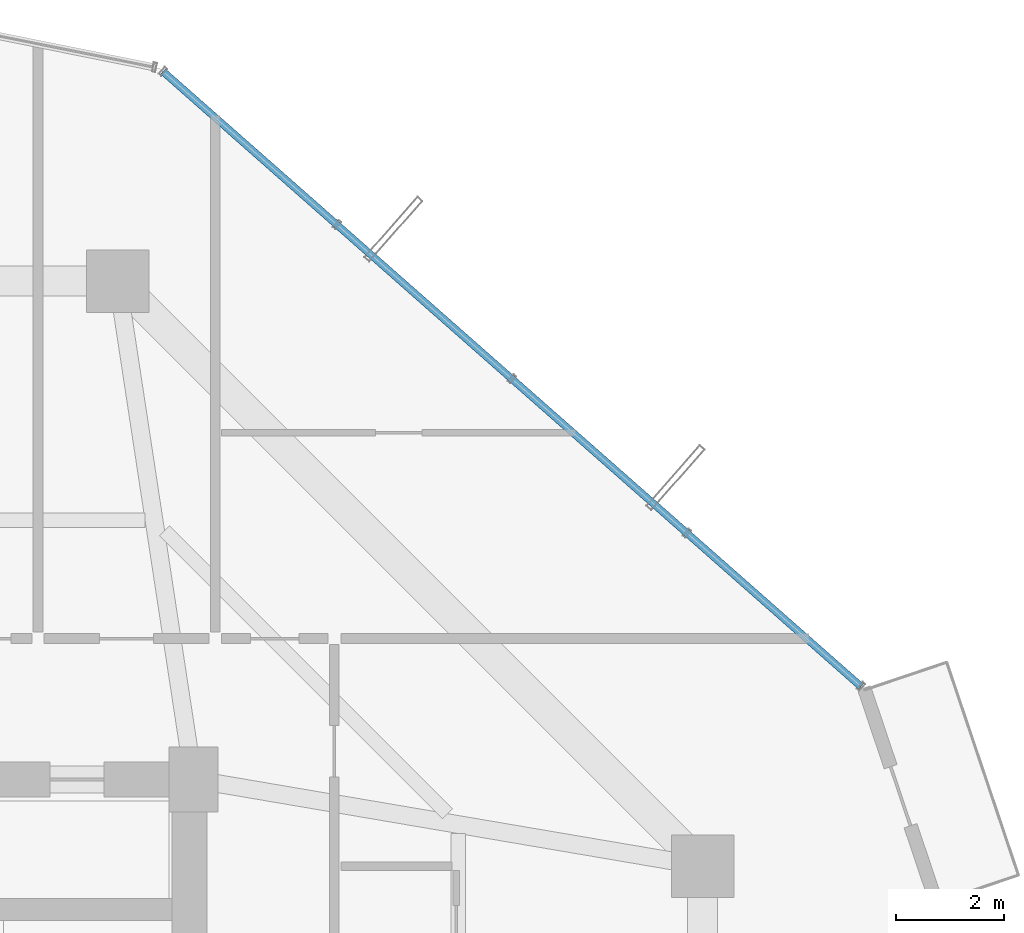
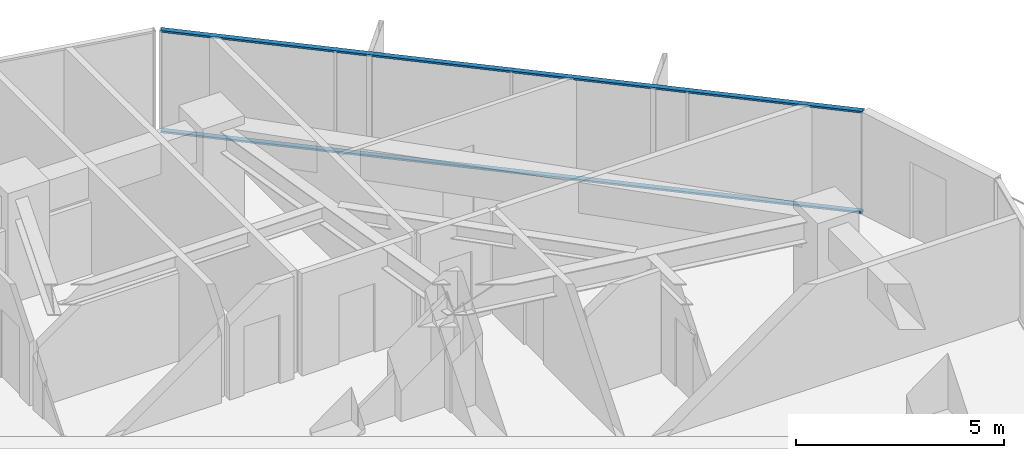
# One storey, part 25 of 32: 2 members, 1 element without a shape of its own.
"""IFC4 building model written with IfcOpenShell, lengths in metres."""

from ifc_helpers import new_model, si_unit, direction, frame, origin, origin_2d, place, context, subcontext, project, spatial, hollow_rectangle, extrude, source, transform, mapped, material, layer, layer_set, material_profile, profile_set, type_object, element, aggregate, save


model = new_model("IFC4")

# Units and contexts
model_context = context("Model", 3, precision=1e-05, world=origin(), true_north=direction((0.0, 1.0)))
body_context = subcontext(model_context, "Body", "Model", "MODEL_VIEW")
ifc_project = project(units=[si_unit("LENGTHUNIT", "METRE"), si_unit("AREAUNIT", "SQUARE_METRE"), si_unit("VOLUMEUNIT", "CUBIC_METRE"), si_unit("PLANEANGLEUNIT", "RADIAN"), si_unit("MASSUNIT", "GRAM", prefix="KILO")], contexts=[model_context])

# Site, building, storey
site_placement = place(None, origin())
site = spatial("IfcSite", under=ifc_project, at=site_placement, CompositionType="ELEMENT")
building_placement = place(site_placement, origin())
building = spatial("IfcBuilding", under=site, at=building_placement, Name="Veraguas Prism Commons", CompositionType="ELEMENT")
storey_placement = place(building_placement, frame((0.0, 0.0, 89.449951171875)))
storey = spatial("IfcBuildingStorey", under=building, at=storey_placement, Name="L24", CompositionType="ELEMENT", Elevation=89.449951171875)

# Curtain wall, members
ifc_material = material(Name="Anodised aluminium EN AW-6063 T6", Category="aluminium")
ifc_layer = layer(ifc_material, 0.169921875, Name="Unitised Flush Curtain Wall Zone 2", Category="aluminium")
ifc_layer_set = layer_set([ifc_layer], Name="Anodised aluminium EN AW-6063 T6")
curtain_wall_type = type_object("IfcCurtainWallType", Name="Unitised Flush Curtain Wall Zone 2", PredefinedType="NOTDEFINED", material=ifc_layer_set)
curtain_wall_placement = place(storey_placement, origin())
curtain_wall = element("IfcCurtainWall", 1, at=curtain_wall_placement, inside=storey, type_object=curtain_wall_type, Name="Tower Facade Curtain Wall L24-F1", PredefinedType="NOTDEFINED")
ifc_material_profile = material_profile(ifc_material, hollow_rectangle(XDim=0.054931640625, YDim=0.135009765625, WallThickness=0.0029296875, at=origin_2d()), Name="AL55X135X3")
ifc_profile_set = profile_set([ifc_material_profile], Name="Anodised aluminium EN AW-6063 T6")
member_type = type_object("IfcMemberType", Name="Curtain Wall Transom Standard AL 55x135x3", PredefinedType="USERDEFINED", material=ifc_profile_set)
shared_shape = source(origin(), body_context, "Body", "SweptSolid", [
    extrude(hollow_rectangle(XDim=0.054931640625, YDim=0.135009765625, WallThickness=0.0029296875, at=origin_2d()), origin(), (0.0, 0.0, 1.0), 17.17431640625),
])
member_1_placement = place(storey_placement, frame((43.123779296875, 32.716796875, 0.027587890625), z_axis=(-0.750332972714, 0.661060080521, 0.0), x_axis=(0.0, 0.0, 1.0)))
member_1 = element("IfcMember", 2, at=member_1_placement, type_object=member_type, Name="CW-Z2 Transom 1", ObjectType="TRANSOM", PredefinedType="USERDEFINED", context=body_context, shape_type="MappedRepresentation", body=[
    mapped(shared_shape, transform((0.0, 0.0, 0.0), scale=1.0)),
])
member_2_placement = place(storey_placement, frame((43.123779296875, 32.716796875, 2.97265625), z_axis=(-0.750332972714, 0.661060080521, 0.0), x_axis=(0.0, 0.0, 1.0)))
member_2 = element("IfcMember", 3, at=member_2_placement, type_object=member_type, Name="CW-Z2 Transom 2", ObjectType="TRANSOM", PredefinedType="USERDEFINED", context=body_context, shape_type="MappedRepresentation", body=[
    mapped(shared_shape, transform((0.0, 0.0, 0.0), scale=1.0)),
])
aggregate(curtain_wall, [member_1, member_2])

save(model, "model.ifc")
